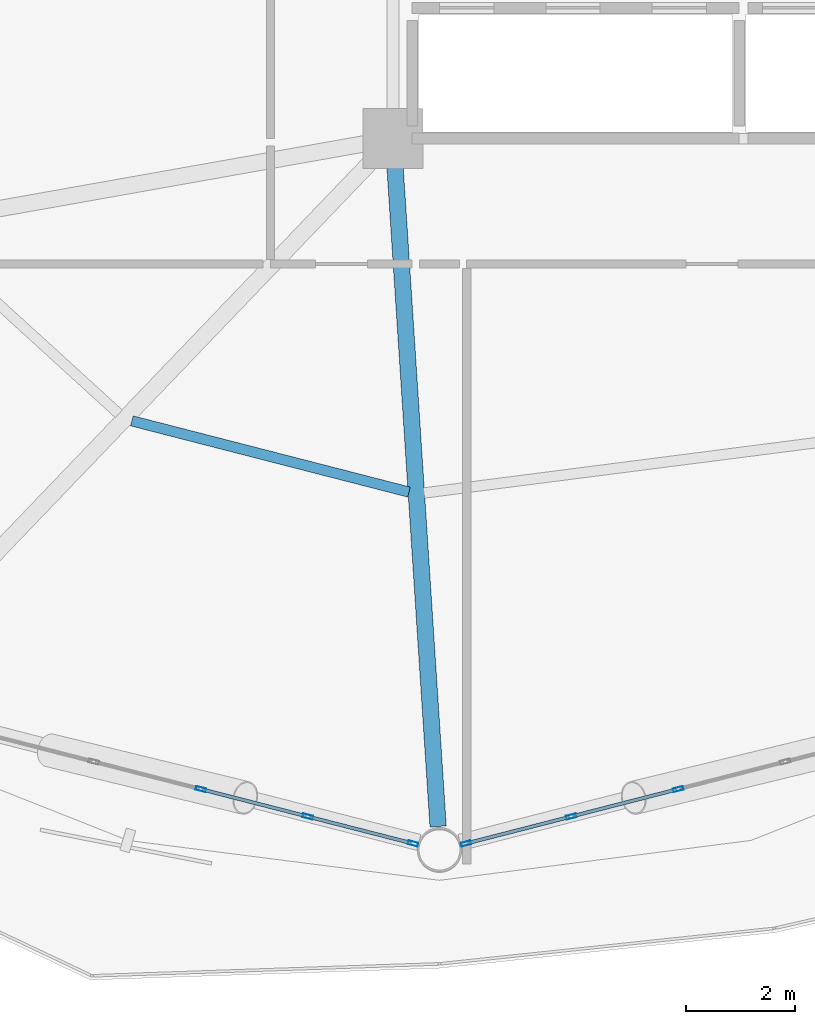
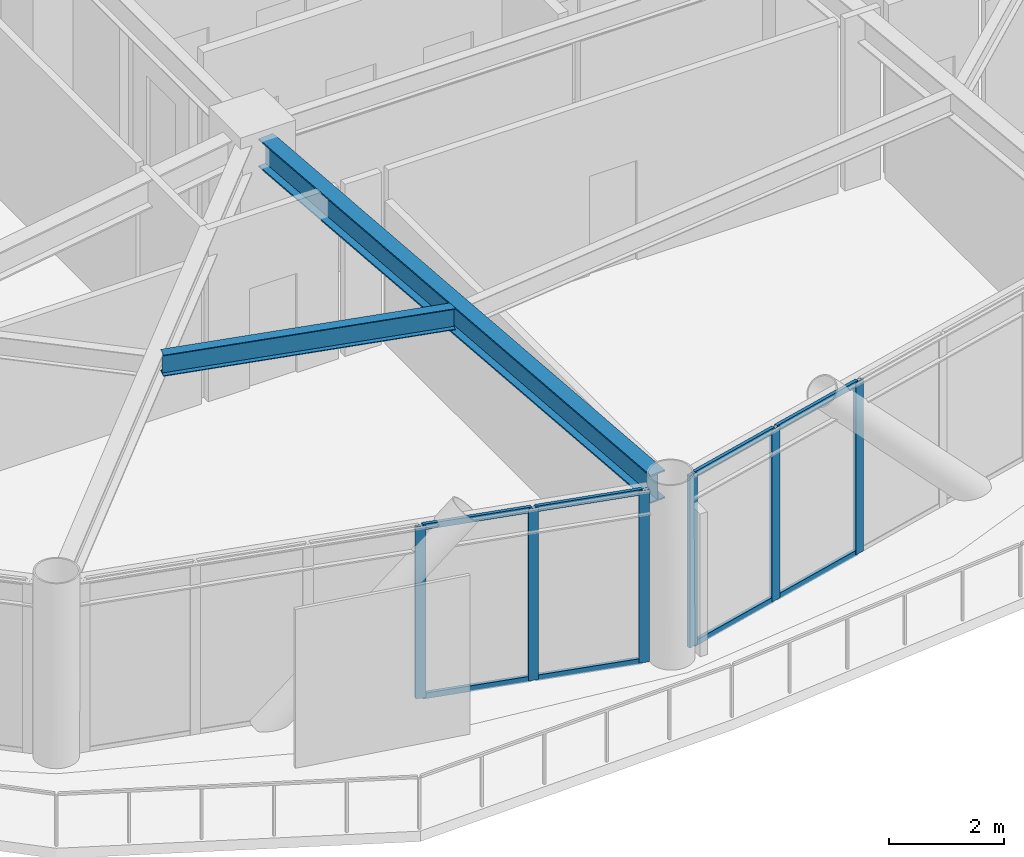
# One storey, part 6 of 24: 14 members, 2 beams, 2 elements without a shape of their own.
"""IFC4 building model written with IfcOpenShell, lengths in metres."""

from ifc_helpers import new_model, si_unit, direction, frame, origin, origin_2d, place, context, subcontext, project, spatial, hollow_rectangle, i_section, extrude, material, layer, layer_set, material_profile, profile_set, type_object, element, aggregate, save


model = new_model("IFC4")

# Units and contexts
model_context = context("Model", 3, precision=1e-05, world=origin(), true_north=direction((0.0, 1.0)))
body_context = subcontext(model_context, "Body", "Model", "MODEL_VIEW")
ifc_project = project(units=[si_unit("LENGTHUNIT", "METRE"), si_unit("AREAUNIT", "SQUARE_METRE"), si_unit("VOLUMEUNIT", "CUBIC_METRE"), si_unit("PLANEANGLEUNIT", "RADIAN"), si_unit("MASSUNIT", "GRAM", prefix="KILO")], contexts=[model_context])

# Site, building, storey
site_placement = place(None, origin())
site = spatial("IfcSite", under=ifc_project, at=site_placement, CompositionType="ELEMENT")
building_placement = place(site_placement, origin())
building = spatial("IfcBuilding", under=site, at=building_placement, Name="Varnakorn Sky Granary", CompositionType="ELEMENT")
storey_placement = place(building_placement, frame((0.0, 0.0, 103.199951171875)))
storey = spatial("IfcBuildingStorey", under=building, at=storey_placement, Name="L25", CompositionType="ELEMENT", Elevation=103.199951171875)

# Beams
ifc_material_1 = material(Name="Steel S355JR", Category="steel")
ifc_material_profile_1 = material_profile(ifc_material_1, i_section(OverallWidth=0.300048828125, OverallDepth=0.60009765625, WebThickness=0.015380859375, FlangeThickness=0.030029296875, at=origin_2d()), Name="HE 600 B")
ifc_profile_set_1 = profile_set([ifc_material_profile_1], Name="Steel S355JR")
beam_type_1 = type_object("IfcBeamType", Name="BM-RAD-Z2", PredefinedType="BEAM", material=ifc_profile_set_1)
beam_1_placement = place(storey_placement, frame((-2.322509765625, -7.01904296875, 3.340087890625), z_axis=(0.065187185267, -0.997873053488, 0.0), x_axis=(0.997873053488, 0.065187185267, 0.0)))
element("IfcBeam", 1, at=beam_1_placement, inside=storey, type_object=beam_type_1, Name="Radial Floor Girder RG10 L25", PredefinedType="BEAM", context=body_context, shape_type="SweptSolid", body=[
    extrude(i_section(OverallWidth=0.300048828125, OverallDepth=0.60009765625, WebThickness=0.015380859375, FlangeThickness=0.030029296875, at=origin_2d()), origin(), (0.0, 0.0, 1.0), 12.228271484375),
])
ifc_material_profile_2 = material_profile(ifc_material_1, i_section(OverallWidth=0.18994140625, OverallDepth=0.449951171875, WebThickness=0.009521484375, FlangeThickness=0.0146484375, at=origin_2d()), Name="IPE 450")
ifc_profile_set_2 = profile_set([ifc_material_profile_2], Name="Steel S355JR")
beam_type_2 = type_object("IfcBeamType", Name="BM-SEC-Z2", PredefinedType="BEAM", material=ifc_profile_set_2)
beam_2_placement = place(storey_placement, frame((-7.144775390625, -11.77880859375, 3.4150390625), z_axis=(0.968538098791, -0.248865327415, 0.0), x_axis=(0.248865327415, 0.968538098791, 0.0)))
element("IfcBeam", 2, at=beam_2_placement, inside=storey, type_object=beam_type_2, Name="Secondary Floor Chord Beam MSB09 L25", PredefinedType="BEAM", context=body_context, shape_type="SweptSolid", body=[
    extrude(i_section(OverallWidth=0.18994140625, OverallDepth=0.449951171875, WebThickness=0.009521484375, FlangeThickness=0.0146484375, at=origin_2d()), origin(), (0.0, 0.0, 1.0), 5.25048828125),
])

# Curtain wall, members
ifc_material_2 = material(Name="Anodised Bronze Aluminium Alloy 6063-T6", Category="aluminium")
ifc_layer = layer(ifc_material_2, 0.179931640625, Name="Anodised Bronze Aluminium Alloy 6063-T6")
ifc_layer_set = layer_set([ifc_layer], Name="Anodised Bronze Aluminium Alloy 6063-T6")
curtain_wall_type = type_object("IfcCurtainWallType", Name="CW-FRM-2", PredefinedType="USERDEFINED", material=ifc_layer_set)
curtain_wall_1_placement = place(storey_placement, origin())
curtain_wall_1 = element("IfcCurtainWall", 3, at=curtain_wall_1_placement, inside=storey, type_object=curtain_wall_type, Name="Unitised Curtain Wall CW4 CW-L25-B09", ObjectType="CURTAIN WALL", PredefinedType="USERDEFINED")
ifc_material_profile_3 = material_profile(ifc_material_2, hollow_rectangle(XDim=0.070068359375, YDim=0.18505859375, WallThickness=0.00390625, at=origin_2d()), Name="ALU MULL 70x185")
ifc_profile_set_3 = profile_set([ifc_material_profile_3], Name="Anodised Bronze Aluminium Alloy 6063-T6")
member_type_1 = type_object("IfcMemberType", Name="CW-FRM-2-MULL", PredefinedType="MULLION", material=ifc_profile_set_3)
member_1_placement = place(storey_placement, frame((-1.98583984375, -19.535400390625, 0.0), z_axis=(0.0, 0.0, 1.0), x_axis=(-0.24847715644, -0.968637756196, 0.0)))
member_1 = element("IfcMember", 4, at=member_1_placement, type_object=member_type_1, Name="CW4 mullion 1", PredefinedType="MULLION", context=body_context, shape_type="SweptSolid", body=[
    extrude(hollow_rectangle(XDim=0.070068359375, YDim=0.18505859375, WallThickness=0.00390625, at=origin_2d()), origin(), (0.0, 0.0, 1.0), 3.64013671875),
])
member_2_placement = place(storey_placement, frame((-3.916015625, -19.040283203125, 0.0), z_axis=(0.0, 0.0, 1.0), x_axis=(-0.24847715644, -0.968637756196, 0.0)))
member_2 = element("IfcMember", 5, at=member_2_placement, type_object=member_type_1, Name="CW4 mullion 2", PredefinedType="MULLION", context=body_context, shape_type="SweptSolid", body=[
    extrude(hollow_rectangle(XDim=0.070068359375, YDim=0.18505859375, WallThickness=0.00390625, at=origin_2d()), origin(), (0.0, 0.0, 1.0), 3.64013671875),
])
member_3_placement = place(storey_placement, frame((-5.8798828125, -18.536376953125, 0.0), z_axis=(0.0, 0.0, 1.0), x_axis=(-0.24847715644, -0.968637756196, 0.0)))
member_3 = element("IfcMember", 6, at=member_3_placement, type_object=member_type_1, Name="CW4 mullion 3", PredefinedType="MULLION", context=body_context, shape_type="SweptSolid", body=[
    extrude(hollow_rectangle(XDim=0.070068359375, YDim=0.18505859375, WallThickness=0.00390625, at=origin_2d()), origin(), (0.0, 0.0, 1.0), 3.64013671875),
])

curtain_wall_2_placement = place(storey_placement, origin())
curtain_wall_2 = element("IfcCurtainWall", 7, at=curtain_wall_2_placement, inside=storey, type_object=curtain_wall_type, Name="Unitised Curtain Wall CW4 CW-L25-B10", ObjectType="CURTAIN WALL", PredefinedType="USERDEFINED")
member_4_placement = place(storey_placement, frame((2.8798828125, -18.536376953125, 0.0), z_axis=(0.0, 0.0, 1.0), x_axis=(0.24847715644, -0.968637756196, 0.0)))
member_4 = element("IfcMember", 8, at=member_4_placement, type_object=member_type_1, Name="CW4 mullion 4", PredefinedType="MULLION", context=body_context, shape_type="SweptSolid", body=[
    extrude(hollow_rectangle(XDim=0.070068359375, YDim=0.18505859375, WallThickness=0.00390625, at=origin_2d()), origin(), (0.0, 0.0, 1.0), 3.64013671875),
])
member_5_placement = place(storey_placement, frame((0.916015625, -19.040283203125, 0.0), z_axis=(0.0, 0.0, 1.0), x_axis=(0.24847715644, -0.968637756196, 0.0)))
member_5 = element("IfcMember", 9, at=member_5_placement, type_object=member_type_1, Name="CW4 mullion 5", PredefinedType="MULLION", context=body_context, shape_type="SweptSolid", body=[
    extrude(hollow_rectangle(XDim=0.070068359375, YDim=0.18505859375, WallThickness=0.00390625, at=origin_2d()), origin(), (0.0, 0.0, 1.0), 3.64013671875),
])
member_6_placement = place(storey_placement, frame((-1.01416015625, -19.535400390625, 0.0), z_axis=(0.0, 0.0, 1.0), x_axis=(0.24847715644, -0.968637756196, 0.0)))
member_6 = element("IfcMember", 10, at=member_6_placement, type_object=member_type_1, Name="CW4 mullion 6", PredefinedType="MULLION", context=body_context, shape_type="SweptSolid", body=[
    extrude(hollow_rectangle(XDim=0.070068359375, YDim=0.18505859375, WallThickness=0.00390625, at=origin_2d()), origin(), (0.0, 0.0, 1.0), 3.64013671875),
])

# Member
ifc_material_profile_4 = material_profile(ifc_material_2, hollow_rectangle(XDim=0.06494140625, YDim=0.1201171875, WallThickness=0.00341796875, at=origin_2d()), Name="ALU TRAN 65x120")
ifc_profile_set_4 = profile_set([ifc_material_profile_4], Name="Anodised Bronze Aluminium Alloy 6063-T6")
member_type_2 = type_object("IfcMemberType", Name="CW-FRM-2-TRAN", PredefinedType="USERDEFINED", material=ifc_profile_set_4)
member_7_placement = place(storey_placement, frame((-2.019775390625, -19.526611328125, 0.032470703125), z_axis=(-0.968660732407, 0.248387571131, 0.0), x_axis=(-0.248387571131, -0.968660732407, 0.0)))
member_7 = element("IfcMember", 11, at=member_7_placement, type_object=member_type_2, Name="CW4 transom 1.1", ObjectType="TRANSOM", PredefinedType="USERDEFINED", context=body_context, shape_type="SweptSolid", body=[
    extrude(hollow_rectangle(XDim=0.06494140625, YDim=0.1201171875, WallThickness=0.00341796875, at=origin_2d()), origin(), (0.0, 0.0, 1.0), 1.922607421875),
])

member_8_placement = place(storey_placement, frame((-2.019775390625, -19.526611328125, 3.607666015625), z_axis=(-0.968660732407, 0.248387571131, 0.0), x_axis=(-0.248387571131, -0.968660732407, 0.0)))
member_8 = element("IfcMember", 12, at=member_8_placement, type_object=member_type_2, Name="CW4 transom 1.2", ObjectType="TRANSOM", PredefinedType="USERDEFINED", context=body_context, shape_type="SweptSolid", body=[
    extrude(hollow_rectangle(XDim=0.06494140625, YDim=0.1201171875, WallThickness=0.00341796875, at=origin_2d()), origin(), (0.0, 0.0, 1.0), 1.922607421875),
])

member_9_placement = place(storey_placement, frame((-3.949951171875, -19.031494140625, 0.032470703125), z_axis=(-0.968650016028, 0.248429359074, 0.0), x_axis=(-0.248429359074, -0.968650016028, 0.0)))
member_9 = element("IfcMember", 13, at=member_9_placement, type_object=member_type_2, Name="CW4 transom 2.1", ObjectType="TRANSOM", PredefinedType="USERDEFINED", context=body_context, shape_type="SweptSolid", body=[
    extrude(hollow_rectangle(XDim=0.06494140625, YDim=0.1201171875, WallThickness=0.00341796875, at=origin_2d()), origin(), (0.0, 0.0, 1.0), 1.95751953125),
])

member_10_placement = place(storey_placement, frame((-3.949951171875, -19.031494140625, 3.607666015625), z_axis=(-0.968650016028, 0.248429359074, 0.0), x_axis=(-0.248429359074, -0.968650016028, 0.0)))
member_10 = element("IfcMember", 14, at=member_10_placement, type_object=member_type_2, Name="CW4 transom 2.2", ObjectType="TRANSOM", PredefinedType="USERDEFINED", context=body_context, shape_type="SweptSolid", body=[
    extrude(hollow_rectangle(XDim=0.06494140625, YDim=0.1201171875, WallThickness=0.00341796875, at=origin_2d()), origin(), (0.0, 0.0, 1.0), 1.95751953125),
])

aggregate(curtain_wall_1, [member_1, member_2, member_3, member_7, member_8, member_9, member_10])

member_11_placement = place(storey_placement, frame((2.84619140625, -18.545166015625, 0.032470703125), z_axis=(-0.968650016028, -0.248429359074, 0.0), x_axis=(0.248429359074, -0.968650016028, 0.0)))
member_11 = element("IfcMember", 15, at=member_11_placement, type_object=member_type_2, Name="CW4 transom 4.1", ObjectType="TRANSOM", PredefinedType="USERDEFINED", context=body_context, shape_type="SweptSolid", body=[
    extrude(hollow_rectangle(XDim=0.06494140625, YDim=0.1201171875, WallThickness=0.00341796875, at=origin_2d()), origin(), (0.0, 0.0, 1.0), 1.95751953125),
])

member_12_placement = place(storey_placement, frame((2.84619140625, -18.545166015625, 3.607666015625), z_axis=(-0.968650016028, -0.248429359074, 0.0), x_axis=(0.248429359074, -0.968650016028, 0.0)))
member_12 = element("IfcMember", 16, at=member_12_placement, type_object=member_type_2, Name="CW4 transom 4.2", ObjectType="TRANSOM", PredefinedType="USERDEFINED", context=body_context, shape_type="SweptSolid", body=[
    extrude(hollow_rectangle(XDim=0.06494140625, YDim=0.1201171875, WallThickness=0.00341796875, at=origin_2d()), origin(), (0.0, 0.0, 1.0), 1.95751953125),
])

member_13_placement = place(storey_placement, frame((0.882080078125, -19.049072265625, 0.032470703125), z_axis=(-0.968660732407, -0.248387571131, 0.0), x_axis=(0.248387571131, -0.968660732407, 0.0)))
member_13 = element("IfcMember", 17, at=member_13_placement, type_object=member_type_2, Name="CW4 transom 5.1", ObjectType="TRANSOM", PredefinedType="USERDEFINED", context=body_context, shape_type="SweptSolid", body=[
    extrude(hollow_rectangle(XDim=0.06494140625, YDim=0.1201171875, WallThickness=0.00341796875, at=origin_2d()), origin(), (0.0, 0.0, 1.0), 1.922607421875),
])

member_14_placement = place(storey_placement, frame((0.882080078125, -19.049072265625, 3.607666015625), z_axis=(-0.968660732407, -0.248387571131, 0.0), x_axis=(0.248387571131, -0.968660732407, 0.0)))
member_14 = element("IfcMember", 18, at=member_14_placement, type_object=member_type_2, Name="CW4 transom 5.2", ObjectType="TRANSOM", PredefinedType="USERDEFINED", context=body_context, shape_type="SweptSolid", body=[
    extrude(hollow_rectangle(XDim=0.06494140625, YDim=0.1201171875, WallThickness=0.00341796875, at=origin_2d()), origin(), (0.0, 0.0, 1.0), 1.922607421875),
])

aggregate(curtain_wall_2, [member_4, member_5, member_6, member_11, member_12, member_13, member_14])

save(model, "model.ifc")
